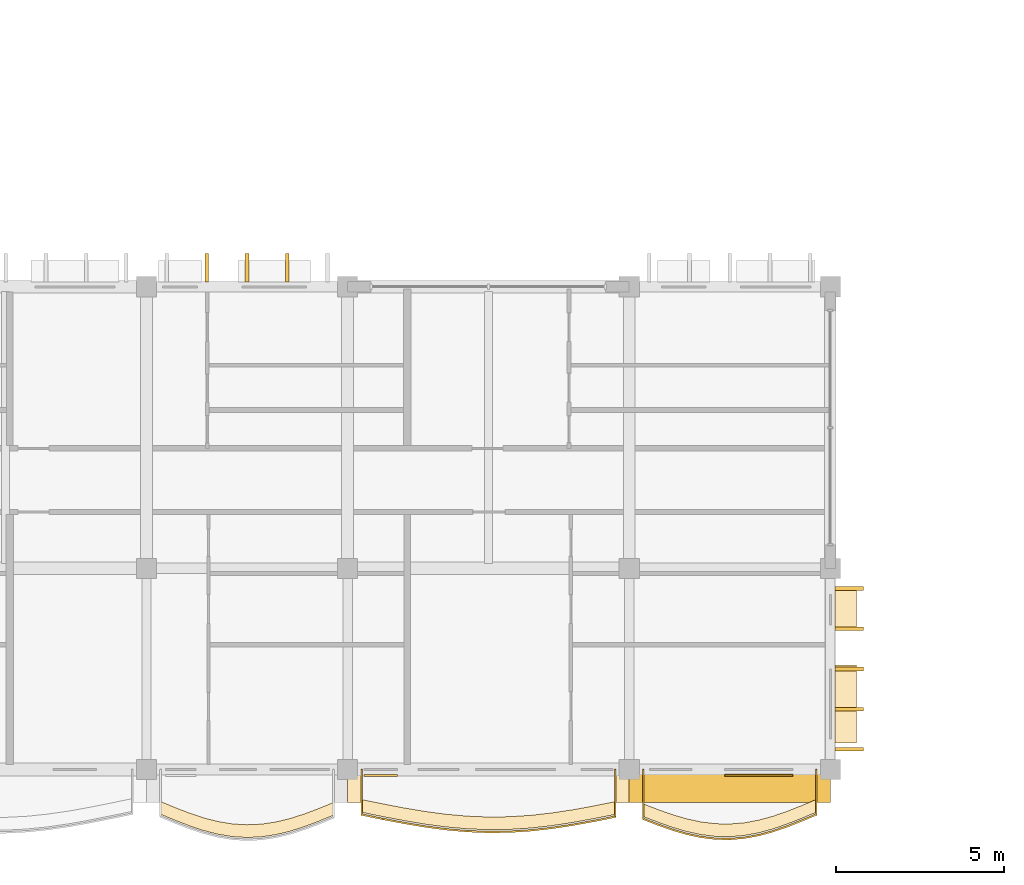
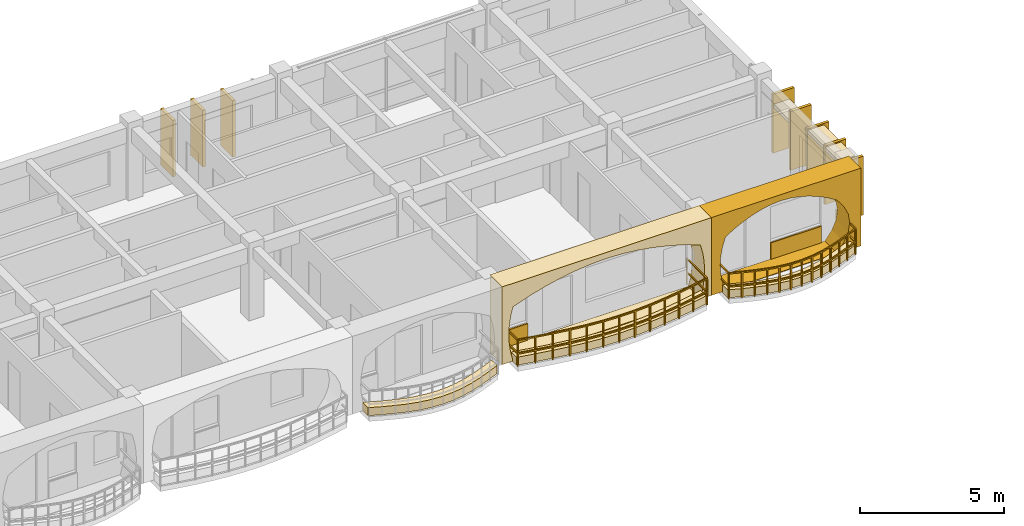
# One storey, part 52 of 76: 17 coverings, 2 railings.
"""IFC4 building model written with IfcOpenShell, lengths in metres."""

from ifc_helpers import new_model, si_unit, direction, frame, origin, origin_2d, place, context, subcontext, project, spatial, polyline, rectangle, outline, extrude, material, layer, layer_set, type_object, element, save


model = new_model("IFC4")

# Units and contexts
model_context = context("Model", 3, precision=1e-05, world=origin(), true_north=direction((0.0, 1.0)))
body_context = subcontext(model_context, "Body", "Model", "MODEL_VIEW")
ifc_project = project(units=[si_unit("LENGTHUNIT", "METRE"), si_unit("AREAUNIT", "SQUARE_METRE"), si_unit("VOLUMEUNIT", "CUBIC_METRE"), si_unit("PLANEANGLEUNIT", "RADIAN"), si_unit("MASSUNIT", "GRAM", prefix="KILO"), si_unit("THERMODYNAMICTEMPERATUREUNIT", "KELVIN")], contexts=[model_context])

# Site, building, storey
site_placement = place(None, origin())
site = spatial("IfcSite", under=ifc_project, at=site_placement, CompositionType="ELEMENT")
building_placement = place(site_placement, origin())
building = spatial("IfcBuilding", under=site, at=building_placement, Name="Thalorik Housing Commons", CompositionType="ELEMENT")
storey_placement = place(building_placement, frame((0.0, 0.0, 18.0)))
storey = spatial("IfcBuildingStorey", under=building, at=storey_placement, Name="L05", CompositionType="ELEMENT", Elevation=18.0)

# Coverings
ifc_material_1 = material(Name="Precast concrete C40/50", Category="concrete")
ifc_layer_1 = layer(ifc_material_1, 0.85009765625, Name="Precast concrete C40/50", Category="concrete")
ifc_layer_set_1 = layer_set([ifc_layer_1], Name="Precast concrete C40/50")
covering_type_1 = type_object("IfcCoveringType", Name="ARC-CLD-CUSH-850", PredefinedType="CLADDING", material=ifc_layer_set_1)
covering_1_placement = place(storey_placement, frame((47.39990234375, 7.83740234375, 0.0), z_axis=(0.0, 0.0, 1.0), x_axis=(1.0, 0.0, 0.0)))
element("IfcCovering", 1, at=covering_1_placement, inside=storey, type_object=covering_type_1, Name="L05 White Precast Curved Cushion Bay Frame 3976", PredefinedType="CLADDING", context=body_context, shape_type="SweptSolid", body=[
    extrude(outline(polyline([(-4.199951171875, 0.0), (4.199951171875, 0.0), (4.199951171875, 3.300048828125), (-4.199951171875, 3.300048828125), (-4.199951171875, 0.0)]), holes=[polyline([(3.760009765625, 0.02490234375), (3.852783203125, 0.404296875), (3.90869140625, 0.783203125), (3.92724609375, 1.16259765625), (3.90869140625, 1.541748046875), (3.852783203125, 1.9208984375), (3.760009765625, 2.300048828125), (3.1328125, 2.525390625), (2.505859375, 2.7021484375), (1.878662109375, 2.845458984375), (1.251708984375, 2.951904296875), (0.62451171875, 3.017822265625), (-0.00244140625, 3.0400390625), (-0.629638671875, 3.017822265625), (-1.256591796875, 2.951904296875), (-1.8837890625, 2.845458984375), (-2.5107421875, 2.7021484375), (-3.137939453125, 2.525390625), (-3.764892578125, 2.300048828125), (-3.856689453125, 1.9208984375), (-3.911865234375, 1.541748046875), (-3.930419921875, 1.16259765625), (-3.911865234375, 0.783203125), (-3.856689453125, 0.404296875), (-3.764892578125, 0.02490234375), (3.760009765625, 0.02490234375)])]), frame((0.0, 0.425048828125, 0.0), z_axis=(0.0, -1.0, 0.0), x_axis=(1.0, 0.0, 0.0)), (0.0, 0.0, 1.0), 0.85009765625),
])
covering_2_placement = place(storey_placement, frame((54.60009765625, 7.83740234375, 0.0), z_axis=(0.0, 0.0, 1.0), x_axis=(1.0, 0.0, 0.0)))
element("IfcCovering", 2, at=covering_2_placement, inside=storey, type_object=covering_type_1, Name="L05 White Precast Curved Cushion Bay Frame 3978", PredefinedType="CLADDING", context=body_context, shape_type="SweptSolid", body=[
    extrude(outline(polyline([(-3.0, 0.0), (3.0, 0.0), (3.0, 3.300048828125), (-3.0, 3.300048828125), (-3.0, 0.0)]), holes=[polyline([(2.0400390625, 0.02490234375), (2.3232421875, 0.40087890625), (2.493408203125, 0.776611328125), (2.550048828125, 1.152587890625), (2.493408203125, 1.5283203125), (2.3232421875, 1.904296875), (2.0400390625, 2.280029296875), (1.66748046875, 2.51123046875), (1.294921875, 2.693115234375), (0.922607421875, 2.840087890625), (0.550048828125, 2.94970703125), (0.177490234375, 3.01708984375), (-0.195068359375, 3.0400390625), (-0.5673828125, 3.01708984375), (-0.93994140625, 2.94970703125), (-1.3125, 2.840087890625), (-1.68505859375, 2.693115234375), (-2.0576171875, 2.51123046875), (-2.429931640625, 2.280029296875), (-2.55029296875, 1.904296875), (-2.62255859375, 1.5283203125), (-2.646484375, 1.152587890625), (-2.62255859375, 0.776611328125), (-2.55029296875, 0.40087890625), (-2.429931640625, 0.02490234375), (2.0400390625, 0.02490234375)])]), frame((0.0, 0.425048828125, 0.0), z_axis=(0.0, -1.0, 0.0), x_axis=(1.0, 0.0, 0.0)), (0.0, 0.0, 1.0), 0.85009765625),
])
ifc_layer_2 = layer(ifc_material_1, 0.85009765625, Name="Precast concrete C40/50", Category="concrete")
ifc_layer_set_2 = layer_set([ifc_layer_2], Name="Precast concrete C40/50")
covering_type_2 = type_object("IfcCoveringType", Name="ARC-CLD-FIN-850", PredefinedType="CLADDING", material=ifc_layer_set_2)
for number, where, z_axis, x_axis, name in (
    (3, (58.16259765625, 9.0, 0.0400390625), (0.0, 0.0, 1.0), (0.0, 1.0, 0.0), "L05 Courtyard Precast Vertical Brise-Soleil Fin 3980"),
    (4, (58.16259765625, 10.199951171875, 0.0400390625), (0.0, 0.0, 1.0), (0.0, 1.0, 0.0), "L05 Courtyard Precast Vertical Brise-Soleil Fin 3981"),
    (5, (58.16259765625, 11.39990234375, 0.0400390625), (0.0, 0.0, 1.0), (0.0, 1.0, 0.0), "L05 Courtyard Precast Vertical Brise-Soleil Fin 3982"),
    (6, (58.16259765625, 12.60009765625, 0.0400390625), (0.0, 0.0, 1.0), (0.0, 1.0, 0.0), "L05 Courtyard Precast Vertical Brise-Soleil Fin 3983"),
    (7, (58.16259765625, 13.800048828125, 0.0400390625), (0.0, 0.0, 1.0), (0.0, 1.0, 0.0), "L05 Courtyard Precast Vertical Brise-Soleil Fin 3984"),
):
    element("IfcCovering", number, at=place(storey_placement, frame(where, z_axis=z_axis, x_axis=x_axis)), inside=storey, type_object=covering_type_2, Name=name, PredefinedType="CLADDING", context=body_context, shape_type="SweptSolid", body=[
        extrude(rectangle(XDim=0.110107421875, YDim=0.85009765625, at=origin_2d()), origin(), (0.0, 0.0, 1.0), 2.4951171875),
    ])
for number, where, z_axis, x_axis, name in (
    (8, (41.39990234375, 23.362548828125, 0.0400390625), (0.0, 0.0, 1.0), (-1.0, 0.0, 0.0), "L05 Courtyard Precast Vertical Brise-Soleil Fin 3995"),
    (9, (40.199951171875, 23.362548828125, 0.0400390625), (0.0, 0.0, 1.0), (-1.0, 0.0, 0.0), "L05 Courtyard Precast Vertical Brise-Soleil Fin 3996"),
    (10, (39.0, 23.362548828125, 0.0400390625), (0.0, 0.0, 1.0), (-1.0, 0.0, 0.0), "L05 Courtyard Precast Vertical Brise-Soleil Fin 3997"),
):
    element("IfcCovering", number, at=place(storey_placement, frame(where, z_axis=z_axis, x_axis=x_axis)), inside=storey, type_object=covering_type_2, Name=name, PredefinedType="CLADDING", context=body_context, shape_type="SweptSolid", body=[
        extrude(rectangle(XDim=0.110107421875, YDim=0.85009765625, at=origin_2d()), origin(), (0.0, 0.0, 1.0), 2.39501953125),
    ])
ifc_layer_3 = layer(ifc_material_1, 0.64990234375, Name="Precast concrete C40/50", Category="concrete")
ifc_layer_set_3 = layer_set([ifc_layer_3], Name="Precast concrete C40/50")
covering_type_3 = type_object("IfcCoveringType", Name="ARC-CLD-HOOD-650", PredefinedType="CLADDING", material=ifc_layer_set_3)
covering_3_placement = place(storey_placement, frame((58.0625, 10.353759765625, 2.33984375), z_axis=(0.0, 0.0, 1.0), x_axis=(0.0, 1.0, 0.0)))
element("IfcCovering", 11, at=covering_3_placement, inside=storey, type_object=covering_type_3, Name="L05 Courtyard Precast Window Sun-Hood 3985", PredefinedType="CLADDING", context=body_context, shape_type="SweptSolid", body=[
    extrude(rectangle(XDim=2.340087890625, YDim=0.64990234375, at=origin_2d()), origin(), (0.0, 0.0, 1.0), 0.139892578125),
])
covering_4_placement = place(storey_placement, frame((58.0625, 13.163818359375, 1.990234375), z_axis=(0.0, 0.0, 1.0), x_axis=(0.0, 1.0, 0.0)))
element("IfcCovering", 12, at=covering_4_placement, inside=storey, type_object=covering_type_3, Name="L05 Courtyard Precast Window Sun-Hood 3986", PredefinedType="CLADDING", context=body_context, shape_type="SweptSolid", body=[
    extrude(rectangle(XDim=1.139892578125, YDim=0.64990234375, at=origin_2d()), origin(), (0.0, 0.0, 1.0), 0.139892578125),
])
ifc_material_2 = material(Name="Terracotta red mineral fibre-cement panel", Category="masonry")
ifc_layer_4 = layer(ifc_material_2, 0.054931640625, Name="Terracotta red mineral fibre-cement panel", Category="masonry")
ifc_layer_set_4 = layer_set([ifc_layer_4], Name="Terracotta red mineral fibre-cement panel")
covering_type_4 = type_object("IfcCoveringType", Name="ARC-CLD-RED-55", PredefinedType="CLADDING", material=ifc_layer_set_4)
covering_5_placement = place(storey_placement, frame((55.465087890625, 8.22998046875, 0.0498046875), z_axis=(0.0, 0.0, 1.0), x_axis=(1.0, 0.0, 0.0)))
element("IfcCovering", 13, at=covering_5_placement, inside=storey, type_object=covering_type_4, Name="L05 De Stijl Recessed Window Spandrel 3979", PredefinedType="CLADDING", context=body_context, shape_type="SweptSolid", body=[
    extrude(rectangle(XDim=2.0400390625, YDim=0.054931640625, at=origin_2d()), origin(), (0.0, 0.0, 1.0), 0.699951171875),
])
ifc_material_3 = material(Name="Mineral ochre architectural terracotta panel", Category="masonry")
ifc_layer_5 = layer(ifc_material_3, 0.06494140625, Name="Mineral ochre architectural terracotta panel", Category="masonry")
ifc_layer_set_5 = layer_set([ifc_layer_5], Name="Mineral ochre architectural terracotta panel")
covering_type_5 = type_object("IfcCoveringType", Name="ARC-CLD-YEL-65", PredefinedType="CLADDING", material=ifc_layer_set_5)
covering_6_placement = place(storey_placement, frame((44.18505859375, 8.22509765625, 0.0498046875), z_axis=(0.0, 0.0, 1.0), x_axis=(1.0, 0.0, 0.0)))
element("IfcCovering", 14, at=covering_6_placement, inside=storey, type_object=covering_type_5, Name="L05 De Stijl Recessed Window Spandrel 3977", PredefinedType="CLADDING", context=body_context, shape_type="SweptSolid", body=[
    extrude(rectangle(XDim=1.0, YDim=0.06494140625, at=origin_2d()), origin(), (0.0, 0.0, 1.0), 0.699951171875),
])
ifc_material_4 = material(Name="Planted vegetated substrate and terracotta trough", Category="masonry")
ifc_layer_6 = layer(ifc_material_4, 0.340087890625, Name="Planted vegetated substrate and terracotta trough", Category="masonry")
ifc_layer_set_6 = layer_set([ifc_layer_6], Name="Planted vegetated substrate and terracotta trough")
covering_type_6 = type_object("IfcCoveringType", Name="ARC-COV-PLANTER", PredefinedType="USERDEFINED", material=ifc_layer_set_6)
covering_7_placement = place(storey_placement, origin())
element("IfcCovering", 15, at=covering_7_placement, inside=storey, type_object=covering_type_6, Name="L05 Balcony Slab-Edge Planted Trough 5604", ObjectType="PLANTER", PredefinedType="USERDEFINED", context=body_context, shape_type="SweptSolid", body=[
    extrude(outline(polyline([(37.6201171875, 7.064208984375), (38.050048828125, 6.885498046875), (38.47998046875, 6.71923828125), (38.909912109375, 6.576904296875), (39.340087890625, 6.466796875), (39.77001953125, 6.396728515625), (40.199951171875, 6.37109375), (40.6298828125, 6.39111328125), (41.06005859375, 6.45556640625), (41.489990234375, 6.560302734375), (41.919921875, 6.697998046875), (42.35009765625, 6.8603515625), (42.780029296875, 7.0361328125), (42.780029296875, 7.416259765625), (42.35009765625, 7.240234375), (41.919921875, 7.078125), (41.489990234375, 6.940185546875), (41.06005859375, 6.83544921875), (40.6298828125, 6.77099609375), (40.199951171875, 6.7509765625), (39.77001953125, 6.77685546875), (39.340087890625, 6.846923828125), (38.909912109375, 6.956787109375), (38.47998046875, 7.099365234375), (38.050048828125, 7.265380859375), (37.6201171875, 7.444091796875), (37.6201171875, 7.064208984375)])), origin(), (0.0, 0.0, 1.0), 0.340087890625),
])
covering_8_placement = place(storey_placement, origin())
element("IfcCovering", 16, at=covering_8_placement, inside=storey, type_object=covering_type_6, Name="L05 Balcony Slab-Edge Planted Trough 5605", ObjectType="PLANTER", PredefinedType="USERDEFINED", context=body_context, shape_type="SweptSolid", body=[
    extrude(outline(polyline([(43.6201171875, 7.122802734375), (44.25, 6.9951171875), (44.8798828125, 6.87451171875), (45.510009765625, 6.768798828125), (46.139892578125, 6.68505859375), (46.77001953125, 6.62890625), (47.39990234375, 6.60400390625), (48.030029296875, 6.612060546875), (48.659912109375, 6.65283203125), (49.2900390625, 6.7236328125), (49.919921875, 6.819580078125), (50.550048828125, 6.934814453125), (51.179931640625, 7.061279296875), (51.179931640625, 7.44140625), (50.550048828125, 7.314697265625), (49.919921875, 7.19970703125), (49.2900390625, 7.103759765625), (48.659912109375, 7.032958984375), (48.030029296875, 6.9921875), (47.39990234375, 6.98388671875), (46.77001953125, 7.0087890625), (46.139892578125, 7.065185546875), (45.510009765625, 7.14892578125), (44.8798828125, 7.254638671875), (44.25, 7.375244140625), (43.6201171875, 7.502685546875), (43.6201171875, 7.122802734375)])), origin(), (0.0, 0.0, 1.0), 0.340087890625),
])
covering_9_placement = place(storey_placement, origin())
element("IfcCovering", 17, at=covering_9_placement, inside=storey, type_object=covering_type_6, Name="L05 Balcony Slab-Edge Planted Trough 5606", ObjectType="PLANTER", PredefinedType="USERDEFINED", context=body_context, shape_type="SweptSolid", body=[
    extrude(outline(polyline([(52.02001953125, 6.9951171875), (52.449951171875, 6.828369140625), (52.8798828125, 6.676513671875), (53.31005859375, 6.5498046875), (53.739990234375, 6.45654296875), (54.169921875, 6.403564453125), (54.60009765625, 6.39453125), (55.030029296875, 6.4306640625), (55.4599609375, 6.509765625), (55.889892578125, 6.627197265625), (56.320068359375, 6.775390625), (56.75, 6.9453125), (57.179931640625, 7.125732421875), (57.179931640625, 7.505615234375), (56.75, 7.3251953125), (56.320068359375, 7.155517578125), (55.889892578125, 7.007080078125), (55.4599609375, 6.8896484375), (55.030029296875, 6.810546875), (54.60009765625, 6.774658203125), (54.169921875, 6.78369140625), (53.739990234375, 6.836669921875), (53.31005859375, 6.9296875), (52.8798828125, 7.056396484375), (52.449951171875, 7.20849609375), (52.02001953125, 7.375), (52.02001953125, 6.9951171875)])), origin(), (0.0, 0.0, 1.0), 0.340087890625),
])

# Railings
ifc_material_5 = material(Name="Steel S355", Category="steel")
railing_type_1 = type_object("IfcRailingType", Name="ARC-RL-BAL-112", PredefinedType="BALUSTRADE", material=ifc_material_5)
railing_1_placement = place(storey_placement, frame((52.02001953125, 8.39990234375, 0.0)))
element("IfcRailing", 18, at=railing_1_placement, inside=storey, type_object=railing_type_1, Name="L05 Cushion Balcony Guardrail 290", PredefinedType="BALUSTRADE", context=body_context, shape_type="SweptSolid", body=[
    extrude(rectangle(XDim=0.050048828125, YDim=0.050048828125, at=origin_2d()), frame((0.0, 0.0, 1.09521484375), z_axis=(0.0, -1.0, 0.0), x_axis=(1.0, 0.0, 0.0)), (0.0, 0.0, 1.0), 1.474853515625),
    extrude(rectangle(XDim=0.050048828125, YDim=0.050048828125, at=origin_2d()), frame((0.0, 0.0, 0.53515625), z_axis=(0.0, -1.0, 0.0), x_axis=(1.0, 0.0, 0.0)), (0.0, 0.0, 1.0), 1.474853515625),
    extrude(rectangle(XDim=0.050048828125, YDim=0.050048828125, at=origin_2d()), frame((0.0, -1.474853515625, 1.09521484375), z_axis=(0.932332169835, -0.361602993752, 0.0), x_axis=(0.361602993752, 0.932332169835, 0.0)), (0.0, 0.0, 1.0), 0.461181640625),
    extrude(rectangle(XDim=0.050048828125, YDim=0.050048828125, at=origin_2d()), frame((0.0, -1.474853515625, 0.53515625), z_axis=(0.932332169835, -0.361602993752, 0.0), x_axis=(0.361602993752, 0.932332169835, 0.0)), (0.0, 0.0, 1.0), 0.461181640625),
    extrude(rectangle(XDim=0.050048828125, YDim=0.050048828125, at=origin_2d()), frame((0.429931640625, -1.6416015625, 1.09521484375), z_axis=(0.942911226478, -0.333044169716, 0.0), x_axis=(0.333044169716, 0.942911226478, 0.0)), (0.0, 0.0, 1.0), 0.4560546875),
    extrude(rectangle(XDim=0.050048828125, YDim=0.050048828125, at=origin_2d()), frame((0.429931640625, -1.6416015625, 0.53515625), z_axis=(0.942911226478, -0.333044169716, 0.0), x_axis=(0.333044169716, 0.942911226478, 0.0)), (0.0, 0.0, 1.0), 0.4560546875),
    extrude(rectangle(XDim=0.050048828125, YDim=0.050048828125, at=origin_2d()), frame((0.85986328125, -1.79345703125, 1.09521484375), z_axis=(0.959252728444, -0.282549469956, 0.0), x_axis=(0.282549469956, 0.959252728444, 0.0)), (0.0, 0.0, 1.0), 0.448486328125),
    extrude(rectangle(XDim=0.050048828125, YDim=0.050048828125, at=origin_2d()), frame((0.85986328125, -1.79345703125, 0.53515625), z_axis=(0.959252728444, -0.282549469956, 0.0), x_axis=(0.282549469956, 0.959252728444, 0.0)), (0.0, 0.0, 1.0), 0.448486328125),
    extrude(rectangle(XDim=0.050048828125, YDim=0.050048828125, at=origin_2d()), frame((1.2900390625, -1.920166015625, 1.09521484375), z_axis=(0.977386270483, -0.211461765505, 0.0), x_axis=(0.211461765505, 0.977386270483, 0.0)), (0.0, 0.0, 1.0), 0.43994140625),
    extrude(rectangle(XDim=0.050048828125, YDim=0.050048828125, at=origin_2d()), frame((1.2900390625, -1.920166015625, 0.53515625), z_axis=(0.977386270483, -0.211461765505, 0.0), x_axis=(0.211461765505, 0.977386270483, 0.0)), (0.0, 0.0, 1.0), 0.43994140625),
    extrude(rectangle(XDim=0.050048828125, YDim=0.050048828125, at=origin_2d()), frame((1.719970703125, -2.01318359375, 1.09521484375), z_axis=(0.992424568057, -0.122855511548, 0.0), x_axis=(0.122855511548, 0.992424568057, 0.0)), (0.0, 0.0, 1.0), 0.43310546875),
    extrude(rectangle(XDim=0.050048828125, YDim=0.050048828125, at=origin_2d()), frame((1.719970703125, -2.01318359375, 0.53515625), z_axis=(0.992424568057, -0.122855511548, 0.0), x_axis=(0.122855511548, 0.992424568057, 0.0)), (0.0, 0.0, 1.0), 0.43310546875),
    extrude(rectangle(XDim=0.050048828125, YDim=0.050048828125, at=origin_2d()), frame((2.14990234375, -2.06640625, 1.09521484375), z_axis=(0.99979134574, -0.020427064953, 0.0), x_axis=(0.020427064953, 0.99979134574, 0.0)), (0.0, 0.0, 1.0), 0.43017578125),
    extrude(rectangle(XDim=0.050048828125, YDim=0.050048828125, at=origin_2d()), frame((2.14990234375, -2.06640625, 0.53515625), z_axis=(0.99979134574, -0.020427064953, 0.0), x_axis=(0.020427064953, 0.99979134574, 0.0)), (0.0, 0.0, 1.0), 0.43017578125),
    extrude(rectangle(XDim=0.050048828125, YDim=0.050048828125, at=origin_2d()), frame((2.580078125, -2.0751953125, 1.09521484375), z_axis=(0.996534040251, 0.083185976103, 0.0), x_axis=(-0.083185976103, 0.996534040251, 0.0)), (0.0, 0.0, 1.0), 0.431396484375),
    extrude(rectangle(XDim=0.050048828125, YDim=0.050048828125, at=origin_2d()), frame((2.580078125, -2.0751953125, 0.53515625), z_axis=(0.996534040251, 0.083185976103, 0.0), x_axis=(-0.083185976103, 0.996534040251, 0.0)), (0.0, 0.0, 1.0), 0.431396484375),
    extrude(rectangle(XDim=0.050048828125, YDim=0.050048828125, at=origin_2d()), frame((3.010009765625, -2.039306640625, 1.09521484375), z_axis=(0.983492442733, 0.180949205818, 0.0), x_axis=(-0.180949205818, 0.983492442733, 0.0)), (0.0, 0.0, 1.0), 0.437255859375),
    extrude(rectangle(XDim=0.050048828125, YDim=0.050048828125, at=origin_2d()), frame((3.010009765625, -2.039306640625, 0.53515625), z_axis=(0.983492442733, 0.180949205818, 0.0), x_axis=(-0.180949205818, 0.983492442733, 0.0)), (0.0, 0.0, 1.0), 0.437255859375),
    extrude(rectangle(XDim=0.050048828125, YDim=0.050048828125, at=origin_2d()), frame((3.43994140625, -1.960205078125, 1.09521484375), z_axis=(0.96466261905, 0.263488199752, 0.0), x_axis=(-0.263488199752, 0.96466261905, 0.0)), (0.0, 0.0, 1.0), 0.44580078125),
    extrude(rectangle(XDim=0.050048828125, YDim=0.050048828125, at=origin_2d()), frame((3.43994140625, -1.960205078125, 0.53515625), z_axis=(0.96466261905, 0.263488199752, 0.0), x_axis=(-0.263488199752, 0.96466261905, 0.0)), (0.0, 0.0, 1.0), 0.44580078125),
    extrude(rectangle(XDim=0.050048828125, YDim=0.050048828125, at=origin_2d()), frame((3.869873046875, -1.8427734375, 1.09521484375), z_axis=(0.945469879398, 0.325709544151, 0.0), x_axis=(-0.325709544151, 0.945469879398, 0.0)), (0.0, 0.0, 1.0), 0.455078125),
    extrude(rectangle(XDim=0.050048828125, YDim=0.050048828125, at=origin_2d()), frame((3.869873046875, -1.8427734375, 0.53515625), z_axis=(0.945469879398, 0.325709544151, 0.0), x_axis=(-0.325709544151, 0.945469879398, 0.0)), (0.0, 0.0, 1.0), 0.455078125),
    extrude(rectangle(XDim=0.050048828125, YDim=0.050048828125, at=origin_2d()), frame((4.300048828125, -1.694580078125, 1.09521484375), z_axis=(0.929998507848, 0.367563294414, 0.0), x_axis=(-0.367563294414, 0.929998507848, 0.0)), (0.0, 0.0, 1.0), 0.46240234375),
    extrude(rectangle(XDim=0.050048828125, YDim=0.050048828125, at=origin_2d()), frame((4.300048828125, -1.694580078125, 0.53515625), z_axis=(0.929998507848, 0.367563294414, 0.0), x_axis=(-0.367563294414, 0.929998507848, 0.0)), (0.0, 0.0, 1.0), 0.46240234375),
    extrude(rectangle(XDim=0.050048828125, YDim=0.050048828125, at=origin_2d()), frame((4.72998046875, -1.524658203125, 1.09521484375), z_axis=(0.922097969708, 0.386956501768, 0.0), x_axis=(-0.386956501768, 0.922097969708, 0.0)), (0.0, 0.0, 1.0), 0.46630859375),
    extrude(rectangle(XDim=0.050048828125, YDim=0.050048828125, at=origin_2d()), frame((4.72998046875, -1.524658203125, 0.53515625), z_axis=(0.922097969708, 0.386956501768, 0.0), x_axis=(-0.386956501768, 0.922097969708, 0.0)), (0.0, 0.0, 1.0), 0.46630859375),
    extrude(rectangle(XDim=0.050048828125, YDim=0.050048828125, at=origin_2d()), frame((5.159912109375, -1.34423828125, 1.09521484375), z_axis=(0.0, 1.0, 0.0), x_axis=(-1.0, 0.0, 0.0)), (0.0, 0.0, 1.0), 1.34423828125),
    extrude(rectangle(XDim=0.050048828125, YDim=0.050048828125, at=origin_2d()), frame((5.159912109375, -1.34423828125, 0.53515625), z_axis=(0.0, 1.0, 0.0), x_axis=(-1.0, 0.0, 0.0)), (0.0, 0.0, 1.0), 1.34423828125),
    extrude(rectangle(XDim=0.0419921875, YDim=0.0419921875, at=origin_2d()), origin(), (0.0, 0.0, 1.0), 1.070068359375),
    extrude(rectangle(XDim=0.0419921875, YDim=0.0419921875, at=origin_2d()), frame((0.0, -1.474853515625, 0.0)), (0.0, 0.0, 1.0), 1.070068359375),
    extrude(rectangle(XDim=0.0419921875, YDim=0.0419921875, at=origin_2d()), frame((0.429931640625, -1.6416015625, 0.0)), (0.0, 0.0, 1.0), 1.070068359375),
    extrude(rectangle(XDim=0.0419921875, YDim=0.0419921875, at=origin_2d()), frame((0.85986328125, -1.79345703125, 0.0)), (0.0, 0.0, 1.0), 1.070068359375),
    extrude(rectangle(XDim=0.0419921875, YDim=0.0419921875, at=origin_2d()), frame((1.2900390625, -1.920166015625, 0.0)), (0.0, 0.0, 1.0), 1.070068359375),
    extrude(rectangle(XDim=0.0419921875, YDim=0.0419921875, at=origin_2d()), frame((1.719970703125, -2.01318359375, 0.0)), (0.0, 0.0, 1.0), 1.070068359375),
    extrude(rectangle(XDim=0.0419921875, YDim=0.0419921875, at=origin_2d()), frame((2.14990234375, -2.06640625, 0.0)), (0.0, 0.0, 1.0), 1.070068359375),
    extrude(rectangle(XDim=0.0419921875, YDim=0.0419921875, at=origin_2d()), frame((2.580078125, -2.0751953125, 0.0)), (0.0, 0.0, 1.0), 1.070068359375),
    extrude(rectangle(XDim=0.0419921875, YDim=0.0419921875, at=origin_2d()), frame((3.010009765625, -2.039306640625, 0.0)), (0.0, 0.0, 1.0), 1.070068359375),
    extrude(rectangle(XDim=0.0419921875, YDim=0.0419921875, at=origin_2d()), frame((3.43994140625, -1.960205078125, 0.0)), (0.0, 0.0, 1.0), 1.070068359375),
    extrude(rectangle(XDim=0.0419921875, YDim=0.0419921875, at=origin_2d()), frame((3.869873046875, -1.8427734375, 0.0)), (0.0, 0.0, 1.0), 1.070068359375),
    extrude(rectangle(XDim=0.0419921875, YDim=0.0419921875, at=origin_2d()), frame((4.300048828125, -1.694580078125, 0.0)), (0.0, 0.0, 1.0), 1.070068359375),
    extrude(rectangle(XDim=0.0419921875, YDim=0.0419921875, at=origin_2d()), frame((4.72998046875, -1.524658203125, 0.0)), (0.0, 0.0, 1.0), 1.070068359375),
    extrude(rectangle(XDim=0.0419921875, YDim=0.0419921875, at=origin_2d()), frame((5.159912109375, -1.34423828125, 0.0)), (0.0, 0.0, 1.0), 1.070068359375),
    extrude(rectangle(XDim=0.0419921875, YDim=0.0419921875, at=origin_2d()), frame((5.159912109375, 0.0, 0.0)), (0.0, 0.0, 1.0), 1.070068359375),
])
railing_type_2 = type_object("IfcRailingType", Name="ARC-RL-BAL-115", PredefinedType="BALUSTRADE", material=ifc_material_5)
railing_2_placement = place(storey_placement, frame((43.6201171875, 8.39990234375, 0.0)))
element("IfcRailing", 19, at=railing_2_placement, inside=storey, type_object=railing_type_2, Name="L05 Cushion Balcony Guardrail 289", PredefinedType="BALUSTRADE", context=body_context, shape_type="SweptSolid", body=[
    extrude(rectangle(XDim=0.050048828125, YDim=0.050048828125, at=origin_2d()), frame((0.0, 0.0, 1.125), z_axis=(0.0, -1.0, 0.0), x_axis=(1.0, 0.0, 0.0)), (0.0, 0.0, 1.0), 1.34716796875),
    extrude(rectangle(XDim=0.050048828125, YDim=0.050048828125, at=origin_2d()), frame((0.0, 0.0, 0.5498046875), z_axis=(0.0, -1.0, 0.0), x_axis=(1.0, 0.0, 0.0)), (0.0, 0.0, 1.0), 1.34716796875),
    extrude(rectangle(XDim=0.050048828125, YDim=0.050048828125, at=origin_2d()), frame((0.0, -1.34716796875, 1.125), z_axis=(0.980139881085, -0.198307371289, 0.0), x_axis=(0.198307371289, 0.980139881085, 0.0)), (0.0, 0.0, 1.0), 0.642578125),
    extrude(rectangle(XDim=0.050048828125, YDim=0.050048828125, at=origin_2d()), frame((0.0, -1.34716796875, 0.5498046875), z_axis=(0.980139881085, -0.198307371289, 0.0), x_axis=(0.198307371289, 0.980139881085, 0.0)), (0.0, 0.0, 1.0), 0.642578125),
    extrude(rectangle(XDim=0.050048828125, YDim=0.050048828125, at=origin_2d()), frame((0.6298828125, -1.474609375, 1.125), z_axis=(0.982158184024, -0.188056644538, 0.0), x_axis=(0.188056644538, 0.982158184024, 0.0)), (0.0, 0.0, 1.0), 0.641357421875),
    extrude(rectangle(XDim=0.050048828125, YDim=0.050048828125, at=origin_2d()), frame((0.6298828125, -1.474609375, 0.5498046875), z_axis=(0.982158184024, -0.188056644538, 0.0), x_axis=(0.188056644538, 0.982158184024, 0.0)), (0.0, 0.0, 1.0), 0.641357421875),
    extrude(rectangle(XDim=0.050048828125, YDim=0.050048828125, at=origin_2d()), frame((1.259765625, -1.59521484375, 1.125), z_axis=(0.986217798769, -0.165452269224, 0.0), x_axis=(0.165452269224, 0.986217798769, 0.0)), (0.0, 0.0, 1.0), 0.638916015625),
    extrude(rectangle(XDim=0.050048828125, YDim=0.050048828125, at=origin_2d()), frame((1.259765625, -1.59521484375, 0.5498046875), z_axis=(0.986217798769, -0.165452269224, 0.0), x_axis=(0.165452269224, 0.986217798769, 0.0)), (0.0, 0.0, 1.0), 0.638916015625),
    extrude(rectangle(XDim=0.050048828125, YDim=0.050048828125, at=origin_2d()), frame((1.889892578125, -1.700927734375, 1.125), z_axis=(0.991227900683, -0.132163720091, 0.0), x_axis=(0.132163720091, 0.991227900683, 0.0)), (0.0, 0.0, 1.0), 0.635498046875),
    extrude(rectangle(XDim=0.050048828125, YDim=0.050048828125, at=origin_2d()), frame((1.889892578125, -1.700927734375, 0.5498046875), z_axis=(0.991227900683, -0.132163720091, 0.0), x_axis=(0.132163720091, 0.991227900683, 0.0)), (0.0, 0.0, 1.0), 0.635498046875),
    extrude(rectangle(XDim=0.050048828125, YDim=0.050048828125, at=origin_2d()), frame((2.519775390625, -1.784912109375, 1.125), z_axis=(0.996052951542, -0.088761014667, 0.0), x_axis=(0.088761014667, 0.996052951542, 0.0)), (0.0, 0.0, 1.0), 0.632568359375),
    extrude(rectangle(XDim=0.050048828125, YDim=0.050048828125, at=origin_2d()), frame((2.519775390625, -1.784912109375, 0.5498046875), z_axis=(0.996052951542, -0.088761014667, 0.0), x_axis=(0.088761014667, 0.996052951542, 0.0)), (0.0, 0.0, 1.0), 0.632568359375),
    extrude(rectangle(XDim=0.050048828125, YDim=0.050048828125, at=origin_2d()), frame((3.14990234375, -1.841064453125, 1.125), z_axis=(0.999219411415, -0.039504023242, 0.0), x_axis=(0.039504023242, 0.999219411415, 0.0)), (0.0, 0.0, 1.0), 0.63037109375),
    extrude(rectangle(XDim=0.050048828125, YDim=0.050048828125, at=origin_2d()), frame((3.14990234375, -1.841064453125, 0.5498046875), z_axis=(0.999219411415, -0.039504023242, 0.0), x_axis=(0.039504023242, 0.999219411415, 0.0)), (0.0, 0.0, 1.0), 0.63037109375),
    extrude(rectangle(XDim=0.050048828125, YDim=0.050048828125, at=origin_2d()), frame((3.77978515625, -1.865966796875, 1.125), z_axis=(0.999918272421, 0.012784697013, 0.0), x_axis=(-0.012784697013, 0.999918272421, 0.0)), (0.0, 0.0, 1.0), 0.630126953125),
    extrude(rectangle(XDim=0.050048828125, YDim=0.050048828125, at=origin_2d()), frame((3.77978515625, -1.865966796875, 0.5498046875), z_axis=(0.999918272421, 0.012784697013, 0.0), x_axis=(-0.012784697013, 0.999918272421, 0.0)), (0.0, 0.0, 1.0), 0.630126953125),
    extrude(rectangle(XDim=0.050048828125, YDim=0.050048828125, at=origin_2d()), frame((4.409912109375, -1.85791015625, 1.125), z_axis=(0.997886653378, 0.064978665801, 0.0), x_axis=(-0.064978665801, 0.997886653378, 0.0)), (0.0, 0.0, 1.0), 0.631103515625),
    extrude(rectangle(XDim=0.050048828125, YDim=0.050048828125, at=origin_2d()), frame((4.409912109375, -1.85791015625, 0.5498046875), z_axis=(0.997886653378, 0.064978665801, 0.0), x_axis=(-0.064978665801, 0.997886653378, 0.0)), (0.0, 0.0, 1.0), 0.631103515625),
    extrude(rectangle(XDim=0.050048828125, YDim=0.050048828125, at=origin_2d()), frame((5.039794921875, -1.81689453125, 1.125), z_axis=(0.993746812117, 0.111656945182, 0.0), x_axis=(-0.111656945182, 0.993746812117, 0.0)), (0.0, 0.0, 1.0), 0.634033203125),
    extrude(rectangle(XDim=0.050048828125, YDim=0.050048828125, at=origin_2d()), frame((5.039794921875, -1.81689453125, 0.5498046875), z_axis=(0.993746812117, 0.111656945182, 0.0), x_axis=(-0.111656945182, 0.993746812117, 0.0)), (0.0, 0.0, 1.0), 0.634033203125),
    extrude(rectangle(XDim=0.050048828125, YDim=0.050048828125, at=origin_2d()), frame((5.669921875, -1.74609375, 1.125), z_axis=(0.988596526111, 0.150588540605, 0.0), x_axis=(-0.150588540605, 0.988596526111, 0.0)), (0.0, 0.0, 1.0), 0.63720703125),
    extrude(rectangle(XDim=0.050048828125, YDim=0.050048828125, at=origin_2d()), frame((5.669921875, -1.74609375, 0.5498046875), z_axis=(0.988596526111, 0.150588540605, 0.0), x_axis=(-0.150588540605, 0.988596526111, 0.0)), (0.0, 0.0, 1.0), 0.63720703125),
    extrude(rectangle(XDim=0.050048828125, YDim=0.050048828125, at=origin_2d()), frame((6.2998046875, -1.650146484375, 1.125), z_axis=(0.983753833434, 0.179522687155, 0.0), x_axis=(-0.179522687155, 0.983753833434, 0.0)), (0.0, 0.0, 1.0), 0.640625),
    extrude(rectangle(XDim=0.050048828125, YDim=0.050048828125, at=origin_2d()), frame((6.2998046875, -1.650146484375, 0.5498046875), z_axis=(0.983753833434, 0.179522687155, 0.0), x_axis=(-0.179522687155, 0.983753833434, 0.0)), (0.0, 0.0, 1.0), 0.640625),
    extrude(rectangle(XDim=0.050048828125, YDim=0.050048828125, at=origin_2d()), frame((6.929931640625, -1.53515625, 1.125), z_axis=(0.980434244421, 0.19684687543, 0.0), x_axis=(-0.19684687543, 0.980434244421, 0.0)), (0.0, 0.0, 1.0), 0.642333984375),
    extrude(rectangle(XDim=0.050048828125, YDim=0.050048828125, at=origin_2d()), frame((6.929931640625, -1.53515625, 0.5498046875), z_axis=(0.980434244421, 0.19684687543, 0.0), x_axis=(-0.19684687543, 0.980434244421, 0.0)), (0.0, 0.0, 1.0), 0.642333984375),
    extrude(rectangle(XDim=0.050048828125, YDim=0.050048828125, at=origin_2d()), frame((7.559814453125, -1.40869140625, 1.125), z_axis=(0.0, 1.0, 0.0), x_axis=(-1.0, 0.0, 0.0)), (0.0, 0.0, 1.0), 1.40869140625),
    extrude(rectangle(XDim=0.050048828125, YDim=0.050048828125, at=origin_2d()), frame((7.559814453125, -1.40869140625, 0.5498046875), z_axis=(0.0, 1.0, 0.0), x_axis=(-1.0, 0.0, 0.0)), (0.0, 0.0, 1.0), 1.40869140625),
    extrude(rectangle(XDim=0.0419921875, YDim=0.0419921875, at=origin_2d()), origin(), (0.0, 0.0, 1.0), 1.099853515625),
    extrude(rectangle(XDim=0.0419921875, YDim=0.0419921875, at=origin_2d()), frame((0.0, -1.34716796875, 0.0)), (0.0, 0.0, 1.0), 1.099853515625),
    extrude(rectangle(XDim=0.0419921875, YDim=0.0419921875, at=origin_2d()), frame((0.6298828125, -1.474609375, 0.0)), (0.0, 0.0, 1.0), 1.099853515625),
    extrude(rectangle(XDim=0.0419921875, YDim=0.0419921875, at=origin_2d()), frame((1.259765625, -1.59521484375, 0.0)), (0.0, 0.0, 1.0), 1.099853515625),
    extrude(rectangle(XDim=0.0419921875, YDim=0.0419921875, at=origin_2d()), frame((1.889892578125, -1.700927734375, 0.0)), (0.0, 0.0, 1.0), 1.099853515625),
    extrude(rectangle(XDim=0.0419921875, YDim=0.0419921875, at=origin_2d()), frame((2.519775390625, -1.784912109375, 0.0)), (0.0, 0.0, 1.0), 1.099853515625),
    extrude(rectangle(XDim=0.0419921875, YDim=0.0419921875, at=origin_2d()), frame((3.14990234375, -1.841064453125, 0.0)), (0.0, 0.0, 1.0), 1.099853515625),
    extrude(rectangle(XDim=0.0419921875, YDim=0.0419921875, at=origin_2d()), frame((3.77978515625, -1.865966796875, 0.0)), (0.0, 0.0, 1.0), 1.099853515625),
    extrude(rectangle(XDim=0.0419921875, YDim=0.0419921875, at=origin_2d()), frame((4.409912109375, -1.85791015625, 0.0)), (0.0, 0.0, 1.0), 1.099853515625),
    extrude(rectangle(XDim=0.0419921875, YDim=0.0419921875, at=origin_2d()), frame((5.039794921875, -1.81689453125, 0.0)), (0.0, 0.0, 1.0), 1.099853515625),
    extrude(rectangle(XDim=0.0419921875, YDim=0.0419921875, at=origin_2d()), frame((5.669921875, -1.74609375, 0.0)), (0.0, 0.0, 1.0), 1.099853515625),
    extrude(rectangle(XDim=0.0419921875, YDim=0.0419921875, at=origin_2d()), frame((6.2998046875, -1.650146484375, 0.0)), (0.0, 0.0, 1.0), 1.099853515625),
    extrude(rectangle(XDim=0.0419921875, YDim=0.0419921875, at=origin_2d()), frame((6.929931640625, -1.53515625, 0.0)), (0.0, 0.0, 1.0), 1.099853515625),
    extrude(rectangle(XDim=0.0419921875, YDim=0.0419921875, at=origin_2d()), frame((7.559814453125, -1.40869140625, 0.0)), (0.0, 0.0, 1.0), 1.099853515625),
    extrude(rectangle(XDim=0.0419921875, YDim=0.0419921875, at=origin_2d()), frame((7.559814453125, 0.0, 0.0)), (0.0, 0.0, 1.0), 1.099853515625),
])

save(model, "model.ifc")
